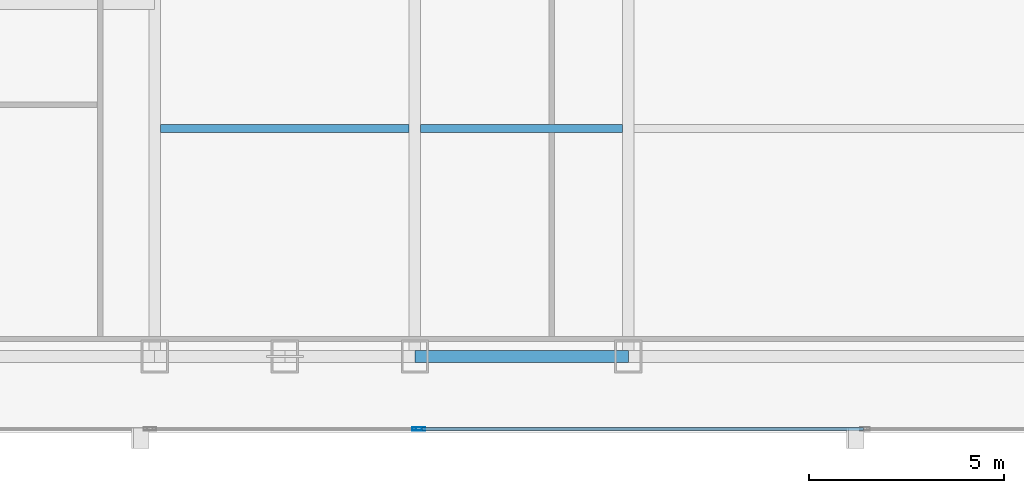
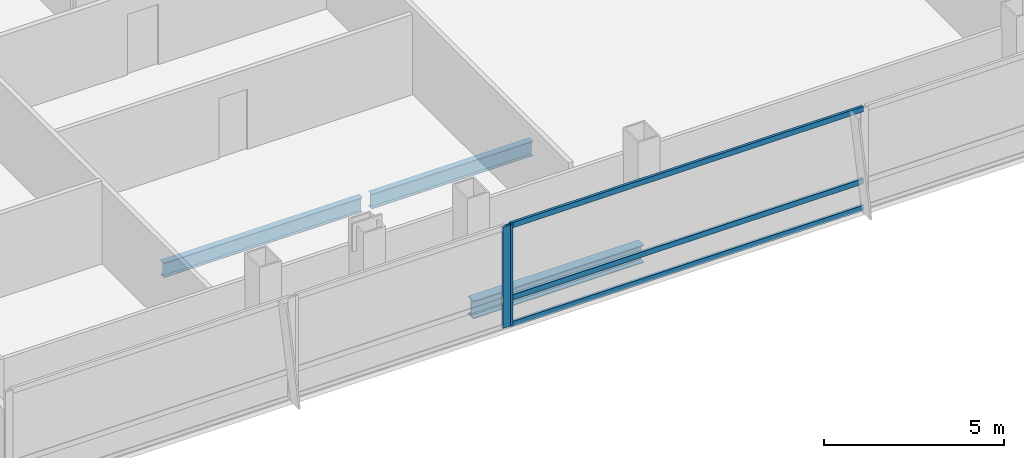
# One storey, part 8 of 29: 5 members, 3 beams, 2 elements without a shape of their own.
"""IFC4 building model written with IfcOpenShell, lengths in metres."""

from ifc_helpers import new_model, si_unit, direction, frame, origin, origin_2d, place, context, subcontext, project, spatial, hollow_rectangle, i_section, extrude, material, material_profile, profile_set, type_object, element, aggregate, save


model = new_model("IFC4")

# Units and contexts
model_context = context("Model", 3, precision=1e-05, world=origin(), true_north=direction((0.0, 1.0)))
body_context = subcontext(model_context, "Body", "Model", "MODEL_VIEW")
ifc_project = project(units=[si_unit("LENGTHUNIT", "METRE"), si_unit("AREAUNIT", "SQUARE_METRE"), si_unit("VOLUMEUNIT", "CUBIC_METRE"), si_unit("PLANEANGLEUNIT", "RADIAN"), si_unit("MASSUNIT", "GRAM", prefix="KILO")], contexts=[model_context])

# Site, building, storey
site_placement = place(None, origin())
site = spatial("IfcSite", under=ifc_project, at=site_placement, CompositionType="ELEMENT")
building_placement = place(site_placement, origin())
building = spatial("IfcBuilding", under=site, at=building_placement, Name="Khoronbel Lancet Exchange", CompositionType="ELEMENT")
storey_placement = place(building_placement, frame((0.0, 0.0, 177.0)))
storey = spatial("IfcBuildingStorey", under=building, at=storey_placement, Name="L44", CompositionType="ELEMENT", Elevation=177.0)

# Beams
ifc_material_1 = material(Name="Steel S355", Category="steel")
ifc_material_profile_1 = material_profile(ifc_material_1, i_section(OverallWidth=0.199951171875, OverallDepth=0.5, WebThickness=0.01025390625, FlangeThickness=0.01611328125, at=origin_2d()), Name="IPE 500")
ifc_profile_set_1 = profile_set([ifc_material_profile_1], Name="Steel S355")
beam_type_1 = type_object("IfcBeamType", Name="BM-BJ3", PredefinedType="JOIST", material=ifc_profile_set_1)
beam_1_placement = place(storey_placement, frame((18.375, 16.0, -0.409912109375), z_axis=(1.0, 0.0, 0.0), x_axis=(0.0, 1.0, 0.0)))
element("IfcBeam", 1, at=beam_1_placement, inside=storey, type_object=beam_type_1, Name="Level L44 secondary composite joist J01", PredefinedType="JOIST", context=body_context, shape_type="SweptSolid", body=[
    extrude(i_section(OverallWidth=0.199951171875, OverallDepth=0.5, WebThickness=0.01025390625, FlangeThickness=0.01611328125, at=origin_2d()), origin(), (0.0, 0.0, 1.0), 6.375),
])
beam_2_placement = place(storey_placement, frame((25.050048828125, 16.0, -0.409912109375), z_axis=(1.0, 0.0, 0.0), x_axis=(0.0, 1.0, 0.0)))
element("IfcBeam", 2, at=beam_2_placement, inside=storey, type_object=beam_type_1, Name="Level L44 secondary composite joist J02", PredefinedType="JOIST", context=body_context, shape_type="SweptSolid", body=[
    extrude(i_section(OverallWidth=0.199951171875, OverallDepth=0.5, WebThickness=0.01025390625, FlangeThickness=0.01611328125, at=origin_2d()), origin(), (0.0, 0.0, 1.0), 5.175048828125),
])
ifc_material_profile_2 = material_profile(ifc_material_1, i_section(OverallWidth=0.300048828125, OverallDepth=0.60009765625, WebThickness=0.015380859375, FlangeThickness=0.030029296875, at=origin_2d()), Name="HEB 600")
ifc_profile_set_2 = profile_set([ifc_material_profile_2], Name="Steel S355")
beam_type_2 = type_object("IfcBeamType", Name="BM-BSP2", PredefinedType="SPANDREL", material=ifc_profile_set_2)
beam_3_placement = place(storey_placement, frame((24.89990234375, 10.14990234375, -0.4599609375), z_axis=(1.0, 0.0, 0.0), x_axis=(0.0, 1.0, 0.0)))
element("IfcBeam", 3, at=beam_3_placement, inside=storey, type_object=beam_type_2, Name="Level L44 perimeter spandrel beam SP04", PredefinedType="SPANDREL", context=body_context, shape_type="SweptSolid", body=[
    extrude(i_section(OverallWidth=0.300048828125, OverallDepth=0.60009765625, WebThickness=0.015380859375, FlangeThickness=0.030029296875, at=origin_2d()), origin(), (0.0, 0.0, 1.0), 5.47509765625),
])

# Curtain wall, member
ifc_material_2 = material(Name="Low-E Solar Control Insulating Glass", Category="glass")
curtain_wall_type = type_object("IfcCurtainWallType", Name="CW-3", PredefinedType="NOTDEFINED", material=ifc_material_2)
curtain_wall_1_placement = place(storey_placement, origin())
curtain_wall_1 = element("IfcCurtainWall", 4, at=curtain_wall_1_placement, inside=storey, type_object=curtain_wall_type, Name="Unitised curtain wall CW-L44-SWB", PredefinedType="NOTDEFINED")
ifc_material_3 = material(Name="Bronze-Anodised Aluminium 6063-T6", Category="aluminium")
ifc_material_profile_3 = material_profile(ifc_material_3, hollow_rectangle(XDim=0.0849609375, YDim=0.239990234375, WallThickness=0.006103515625, at=origin_2d()), Name="ALU MULLION 85x240")
ifc_profile_set_3 = profile_set([ifc_material_profile_3], Name="Bronze-Anodised Aluminium 6063-T6")
member_type_1 = type_object("IfcMemberType", Name="MEM-CWM1", PredefinedType="MULLION", material=ifc_profile_set_3)
member_1_placement = place(storey_placement, frame((24.95751953125, 8.2900390625, 0.0), z_axis=(0.0, 0.0, 1.0), x_axis=(0.0, 1.0, 0.0)))
member_1 = element("IfcMember", 5, at=member_1_placement, type_object=member_type_1, Name="CW3 mullion 2", PredefinedType="MULLION", context=body_context, shape_type="SweptSolid", body=[
    extrude(hollow_rectangle(XDim=0.0849609375, YDim=0.239990234375, WallThickness=0.006103515625, at=origin_2d()), origin(), (0.0, 0.0, 1.0), 3.43994140625),
])
aggregate(curtain_wall_1, [member_1])

# Curtain wall, members
curtain_wall_2_placement = place(storey_placement, origin())
curtain_wall_2 = element("IfcCurtainWall", 6, at=curtain_wall_2_placement, inside=storey, type_object=curtain_wall_type, Name="Unitised curtain wall CW-L44-SCV", PredefinedType="NOTDEFINED")
member_2_placement = place(storey_placement, frame((25.04248046875, 8.2900390625, 0.0), z_axis=(0.0, 0.0, 1.0), x_axis=(0.0, 1.0, 0.0)))
member_2 = element("IfcMember", 7, at=member_2_placement, type_object=member_type_1, Name="CW3 mullion 1", PredefinedType="MULLION", context=body_context, shape_type="SweptSolid", body=[
    extrude(hollow_rectangle(XDim=0.0849609375, YDim=0.239990234375, WallThickness=0.006103515625, at=origin_2d()), origin(), (0.0, 0.0, 1.0), 3.43994140625),
])
ifc_material_profile_4 = material_profile(ifc_material_3, hollow_rectangle(XDim=0.0849609375, YDim=0.179931640625, WallThickness=0.0048828125, at=origin_2d()), Name="ALU TRANSOM 85x180")
ifc_profile_set_4 = profile_set([ifc_material_profile_4], Name="Bronze-Anodised Aluminium 6063-T6")
member_type_2 = type_object("IfcMemberType", Name="MEM-CWT1", PredefinedType="USERDEFINED", material=ifc_profile_set_4)
member_3_placement = place(storey_placement, frame((25.0849609375, 8.2900390625, 0.04248046875), z_axis=(1.0, 0.0, 0.0), x_axis=(0.0, 1.0, 0.0)))
member_3 = element("IfcMember", 8, at=member_3_placement, type_object=member_type_2, Name="CW3 transom 1.1", ObjectType="TRANSOM", PredefinedType="USERDEFINED", context=body_context, shape_type="SweptSolid", body=[
    extrude(hollow_rectangle(XDim=0.0849609375, YDim=0.179931640625, WallThickness=0.0048828125, at=origin_2d()), origin(), (0.0, 0.0, 1.0), 11.322509765625),
])
member_4_placement = place(storey_placement, frame((25.0849609375, 8.2900390625, 0.949951171875), z_axis=(1.0, 0.0, 0.0), x_axis=(0.0, 1.0, 0.0)))
member_4 = element("IfcMember", 9, at=member_4_placement, type_object=member_type_2, Name="CW3 transom 1.2", ObjectType="TRANSOM", PredefinedType="USERDEFINED", context=body_context, shape_type="SweptSolid", body=[
    extrude(hollow_rectangle(XDim=0.0849609375, YDim=0.179931640625, WallThickness=0.0048828125, at=origin_2d()), origin(), (0.0, 0.0, 1.0), 11.322509765625),
])
member_5_placement = place(storey_placement, frame((25.0849609375, 8.2900390625, 3.3974609375), z_axis=(1.0, 0.0, 0.0), x_axis=(0.0, 1.0, 0.0)))
member_5 = element("IfcMember", 10, at=member_5_placement, type_object=member_type_2, Name="CW3 transom 1.3", ObjectType="TRANSOM", PredefinedType="USERDEFINED", context=body_context, shape_type="SweptSolid", body=[
    extrude(hollow_rectangle(XDim=0.0849609375, YDim=0.179931640625, WallThickness=0.0048828125, at=origin_2d()), origin(), (0.0, 0.0, 1.0), 11.322509765625),
])
aggregate(curtain_wall_2, [member_2, member_3, member_4, member_5])

save(model, "model.ifc")
